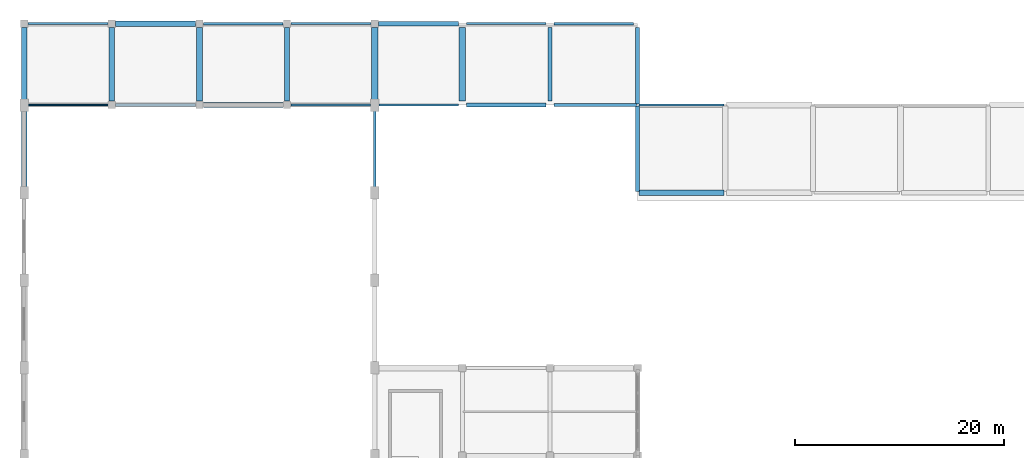
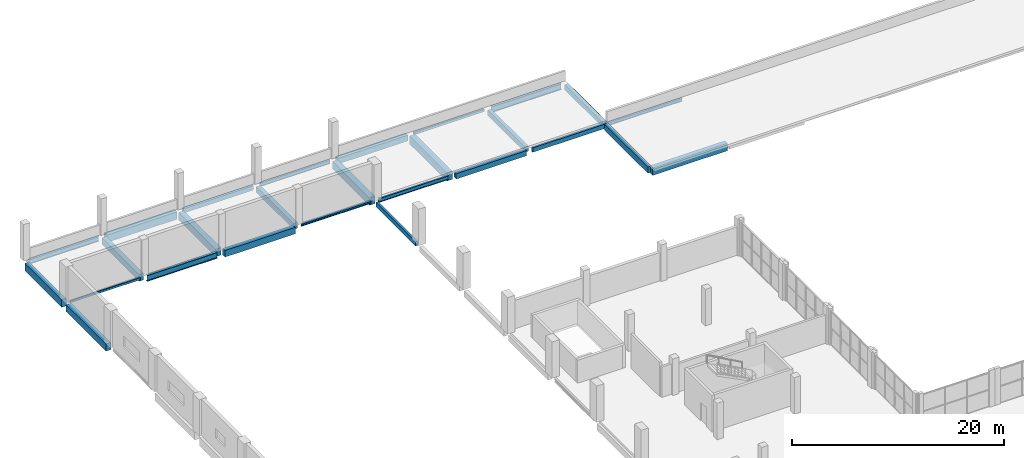
# One storey, part 29 of 59: 27 beams.
"""IFC4 building model written with IfcOpenShell, lengths in metres."""

from ifc_helpers import new_model, si_unit, derived_unit, direction, frame, origin, origin_2d, place, context, subcontext, project, spatial, rectangle, hollow_rectangle, i_section, extrude, material, material_profile, profile_set, type_object, element, save


model = new_model("IFC4")

# Units and contexts
model_context = context("Model", 3, precision=1e-05, world=origin(), true_north=direction((0.0, 1.0)))
body_context = subcontext(model_context, "Body", "Model", "MODEL_VIEW")
ifc_project = project(units=[si_unit("LENGTHUNIT", "METRE"), si_unit("AREAUNIT", "SQUARE_METRE"), si_unit("VOLUMEUNIT", "CUBIC_METRE"), si_unit("PLANEANGLEUNIT", "RADIAN"), si_unit("MASSUNIT", "GRAM", prefix="KILO"), derived_unit("THERMALTRANSMITTANCEUNIT", [(si_unit("POWERUNIT", "WATT"), 1), (si_unit("LENGTHUNIT", "METRE"), -2), (si_unit("THERMODYNAMICTEMPERATUREUNIT", "KELVIN"), -1)])], contexts=[model_context])

# Site, building, storey
site_placement = place(None, origin())
site = spatial("IfcSite", under=ifc_project, at=site_placement, CompositionType="ELEMENT")
building_placement = place(site_placement, origin())
building = spatial("IfcBuilding", under=site, at=building_placement, Name="Barrovel Congress Hotel", CompositionType="ELEMENT")
storey_placement = place(building_placement, frame((0.0, 0.0, 9.89990234375)))
storey = spatial("IfcBuildingStorey", under=building, at=storey_placement, Name="L02", CompositionType="ELEMENT", Elevation=9.89990234375)

# Beams
ifc_material_1 = material(Name="Concrete C40", Category="concrete")
ifc_material_profile_1 = material_profile(ifc_material_1, rectangle(XDim=0.25, YDim=0.5, at=origin_2d()), Name="RC250x500")
ifc_profile_set_1 = profile_set([ifc_material_profile_1], Name="Concrete C40")
beam_type_1 = type_object("IfcBeamType", Name="BM-RC250x500", PredefinedType="SPANDREL", material=ifc_profile_set_1)
beam_1_placement = place(storey_placement, frame((50.77490234375, 105.0, -0.510009765625), z_axis=(1.0, 0.0, 0.0), x_axis=(0.0, 1.0, 0.0)))
element("IfcBeam", 1, at=beam_1_placement, inside=storey, type_object=beam_type_1, Name="BMX:L02:105.0:50.4-58.8", PredefinedType="SPANDREL", context=body_context, shape_type="SweptSolid", body=[
    extrude(rectangle(XDim=0.25, YDim=0.5, at=origin_2d()), origin(), (0.0, 0.0, 1.0), 7.91552734375),
])
beam_2_placement = place(storey_placement, frame((17.175048828125, 112.800048828125, -0.510009765625), z_axis=(1.0, 0.0, 0.0), x_axis=(0.0, 1.0, 0.0)))
element("IfcBeam", 2, at=beam_2_placement, inside=storey, type_object=beam_type_1, Name="BMX:L02:112.8:16.8-25.2", PredefinedType="SPANDREL", context=body_context, shape_type="SweptSolid", body=[
    extrude(rectangle(XDim=0.25, YDim=0.5, at=origin_2d()), origin(), (0.0, 0.0, 1.0), 7.64990234375),
])
beam_3_placement = place(storey_placement, frame((33.60009765625, 97.050048828125, -0.510009765625), z_axis=(0.0, 1.0, 0.0), x_axis=(-1.0, 0.0, 0.0)))
element("IfcBeam", 3, at=beam_3_placement, inside=storey, type_object=beam_type_1, Name="BMY:L02:33.6:96.6-105.0", PredefinedType="SPANDREL", context=body_context, shape_type="SweptSolid", body=[
    extrude(rectangle(XDim=0.25, YDim=0.5, at=origin_2d()), origin(), (0.0, 0.0, 1.0), 7.5),
])
ifc_material_profile_2 = material_profile(ifc_material_1, rectangle(XDim=0.39990234375, YDim=0.60009765625, at=origin_2d()), Name="RC400x600")
ifc_profile_set_2 = profile_set([ifc_material_profile_2], Name="Concrete C40")
beam_type_2 = type_object("IfcBeamType", Name="BM-RC400x600", PredefinedType="BEAM", material=ifc_profile_set_2)
beam_4_placement = place(storey_placement, frame((42.375, 105.0, -0.559814453125), z_axis=(1.0, 0.0, 0.0), x_axis=(0.0, 1.0, 0.0)))
element("IfcBeam", 4, at=beam_4_placement, inside=storey, type_object=beam_type_2, Name="BMX:L02:105.0:42.0-50.4", PredefinedType="BEAM", context=body_context, shape_type="SweptSolid", body=[
    extrude(rectangle(XDim=0.39990234375, YDim=0.60009765625, at=origin_2d()), origin(), (0.0, 0.0, 1.0), 7.64990234375),
])
beam_5_placement = place(storey_placement, frame((50.39990234375, 105.375, -0.559814453125), z_axis=(0.0, 1.0, 0.0), x_axis=(-1.0, 0.0, 0.0)))
element("IfcBeam", 5, at=beam_5_placement, inside=storey, type_object=beam_type_2, Name="BMY:L02:50.4:105.0-112.8", PredefinedType="BEAM", context=body_context, shape_type="SweptSolid", body=[
    extrude(rectangle(XDim=0.39990234375, YDim=0.60009765625, at=origin_2d()), origin(), (0.0, 0.0, 1.0), 7.050048828125),
])
beam_6_placement = place(storey_placement, frame((58.800048828125, 105.109619140625, -0.559814453125), z_axis=(0.0, 1.0, 0.0), x_axis=(-1.0, 0.0, 0.0)))
element("IfcBeam", 6, at=beam_6_placement, inside=storey, type_object=beam_type_2, Name="BMY:L02:58.8:105.0-112.8", PredefinedType="BEAM", context=body_context, shape_type="SweptSolid", body=[
    extrude(rectangle(XDim=0.39990234375, YDim=0.60009765625, at=origin_2d()), origin(), (0.0, 0.0, 1.0), 7.3154296875),
])
ifc_material_profile_3 = material_profile(ifc_material_1, rectangle(XDim=0.39990234375, YDim=0.699951171875, at=origin_2d()), Name="RC400x700")
ifc_profile_set_3 = profile_set([ifc_material_profile_3], Name="Concrete C40")
beam_type_3 = type_object("IfcBeamType", Name="BM-RC400x700", PredefinedType="BEAM", material=ifc_profile_set_3)
beam_7_placement = place(storey_placement, frame((58.800048828125, 96.70947265625, -0.60986328125), z_axis=(0.0, 1.0, 0.0), x_axis=(-1.0, 0.0, 0.0)))
element("IfcBeam", 7, at=beam_7_placement, inside=storey, type_object=beam_type_3, Name="BMY:L02:58.8:96.6-105.0", PredefinedType="BEAM", context=body_context, shape_type="SweptSolid", body=[
    extrude(rectangle(XDim=0.39990234375, YDim=0.699951171875, at=origin_2d()), origin(), (0.0, 0.0, 1.0), 8.180908203125),
])
ifc_material_profile_4 = material_profile(ifc_material_1, rectangle(XDim=0.449951171875, YDim=0.64990234375, at=origin_2d()), Name="RC450x650")
ifc_profile_set_4 = profile_set([ifc_material_profile_4], Name="Concrete C40")
beam_type_4 = type_object("IfcBeamType", Name="BM-RC450x650", PredefinedType="BEAM", material=ifc_profile_set_4)
beam_8_placement = place(storey_placement, frame((33.97509765625, 112.800048828125, -0.5849609375), z_axis=(1.0, 0.0, 0.0), x_axis=(0.0, 1.0, 0.0)))
element("IfcBeam", 8, at=beam_8_placement, inside=storey, type_object=beam_type_4, Name="BMX:L02:112.8:33.6-42.0", PredefinedType="BEAM", context=body_context, shape_type="SweptSolid", body=[
    extrude(rectangle(XDim=0.449951171875, YDim=0.64990234375, at=origin_2d()), origin(), (0.0, 0.0, 1.0), 7.64990234375),
])
beam_9_placement = place(storey_placement, frame((25.199951171875, 105.375, -0.5849609375), z_axis=(0.0, 1.0, 0.0), x_axis=(-1.0, 0.0, 0.0)))
element("IfcBeam", 9, at=beam_9_placement, inside=storey, type_object=beam_type_4, Name="BMY:L02:25.2:105.0-112.8", PredefinedType="BEAM", context=body_context, shape_type="SweptSolid", body=[
    extrude(rectangle(XDim=0.449951171875, YDim=0.64990234375, at=origin_2d()), origin(), (0.0, 0.0, 1.0), 7.050048828125),
])
ifc_material_profile_5 = material_profile(ifc_material_1, rectangle(XDim=0.449951171875, YDim=0.75, at=origin_2d()), Name="RC450x750")
ifc_profile_set_5 = profile_set([ifc_material_profile_5], Name="Concrete C40")
beam_type_5 = type_object("IfcBeamType", Name="BM-RC450x750", PredefinedType="BEAM", material=ifc_profile_set_5)
beam_10_placement = place(storey_placement, frame((17.175048828125, 105.0, -0.635009765625), z_axis=(1.0, 0.0, 0.0), x_axis=(0.0, 1.0, 0.0)))
element("IfcBeam", 10, at=beam_10_placement, inside=storey, type_object=beam_type_5, Name="BMX:L02:105.0:16.8-25.2", PredefinedType="BEAM", context=body_context, shape_type="SweptSolid", body=[
    extrude(rectangle(XDim=0.449951171875, YDim=0.75, at=origin_2d()), origin(), (0.0, 0.0, 1.0), 7.64990234375),
])
ifc_material_profile_6 = material_profile(ifc_material_1, rectangle(XDim=0.5, YDim=0.75, at=origin_2d()), Name="RC500x750")
ifc_profile_set_6 = profile_set([ifc_material_profile_6], Name="Concrete C40")
beam_type_6 = type_object("IfcBeamType", Name="BM-RC500x750", PredefinedType="BEAM", material=ifc_profile_set_6)
beam_11_placement = place(storey_placement, frame((8.39990234375, 105.375, -0.635009765625), z_axis=(0.0, 1.0, 0.0), x_axis=(-1.0, 0.0, 0.0)))
element("IfcBeam", 11, at=beam_11_placement, inside=storey, type_object=beam_type_6, Name="BMY:L02:8.4:105.0-112.8", PredefinedType="BEAM", context=body_context, shape_type="SweptSolid", body=[
    extrude(rectangle(XDim=0.5, YDim=0.75, at=origin_2d()), origin(), (0.0, 0.0, 1.0), 7.050048828125),
])
ifc_material_profile_7 = material_profile(ifc_material_1, rectangle(XDim=0.5, YDim=0.85009765625, at=origin_2d()), Name="RC500x850")
ifc_profile_set_7 = profile_set([ifc_material_profile_7], Name="Concrete C40")
beam_type_7 = type_object("IfcBeamType", Name="BM-RC500x850", PredefinedType="BEAM", material=ifc_profile_set_7)
beam_12_placement = place(storey_placement, frame((58.909423828125, 96.60009765625, -0.684814453125), z_axis=(1.0, 0.0, 0.0), x_axis=(0.0, 1.0, 0.0)))
element("IfcBeam", 12, at=beam_12_placement, inside=storey, type_object=beam_type_7, Name="BMX:L02:96.6:58.8-67.2", PredefinedType="BEAM", context=body_context, shape_type="SweptSolid", body=[
    extrude(rectangle(XDim=0.5, YDim=0.85009765625, at=origin_2d()), origin(), (0.0, 0.0, 1.0), 8.18115234375),
])
beam_13_placement = place(storey_placement, frame((8.77490234375, 112.800048828125, -0.684814453125), z_axis=(1.0, 0.0, 0.0), x_axis=(0.0, 1.0, 0.0)))
element("IfcBeam", 13, at=beam_13_placement, inside=storey, type_object=beam_type_7, Name="BMX:L02:112.8:8.4-16.8", PredefinedType="BEAM", context=body_context, shape_type="SweptSolid", body=[
    extrude(rectangle(XDim=0.5, YDim=0.85009765625, at=origin_2d()), origin(), (0.0, 0.0, 1.0), 7.650146484375),
])
beam_14_placement = place(storey_placement, frame((0.0, 105.449951171875, -0.684814453125), z_axis=(0.0, 1.0, 0.0), x_axis=(-1.0, 0.0, 0.0)))
element("IfcBeam", 14, at=beam_14_placement, inside=storey, type_object=beam_type_7, Name="BMY:L02:0.0:105.0-112.8", PredefinedType="BEAM", context=body_context, shape_type="SweptSolid", body=[
    extrude(rectangle(XDim=0.5, YDim=0.85009765625, at=origin_2d()), origin(), (0.0, 0.0, 1.0), 6.97509765625),
])
ifc_material_profile_8 = material_profile(ifc_material_1, rectangle(XDim=0.550048828125, YDim=0.800048828125, at=origin_2d()), Name="RC550x800")
ifc_profile_set_8 = profile_set([ifc_material_profile_8], Name="Concrete C40")
beam_type_8 = type_object("IfcBeamType", Name="BM-RC550x800", PredefinedType="BEAM", material=ifc_profile_set_8)
beam_15_placement = place(storey_placement, frame((0.0, 97.050048828125, -0.659912109375), z_axis=(0.0, 1.0, 0.0), x_axis=(-1.0, 0.0, 0.0)))
element("IfcBeam", 15, at=beam_15_placement, inside=storey, type_object=beam_type_8, Name="BMY:L02:0.0:96.6-105.0", PredefinedType="BEAM", context=body_context, shape_type="SweptSolid", body=[
    extrude(rectangle(XDim=0.550048828125, YDim=0.800048828125, at=origin_2d()), origin(), (0.0, 0.0, 1.0), 7.5),
])
ifc_material_profile_9 = material_profile(ifc_material_1, rectangle(XDim=0.60009765625, YDim=0.85009765625, at=origin_2d()), Name="RC600x850")
ifc_profile_set_9 = profile_set([ifc_material_profile_9], Name="Concrete C40")
beam_type_9 = type_object("IfcBeamType", Name="BM-RC600x850", PredefinedType="BEAM", material=ifc_profile_set_9)
beam_16_placement = place(storey_placement, frame((16.800048828125, 105.375, -0.684814453125), z_axis=(0.0, 1.0, 0.0), x_axis=(-1.0, 0.0, 0.0)))
element("IfcBeam", 16, at=beam_16_placement, inside=storey, type_object=beam_type_9, Name="BMY:L02:16.8:105.0-112.8", PredefinedType="BEAM", context=body_context, shape_type="SweptSolid", body=[
    extrude(rectangle(XDim=0.60009765625, YDim=0.85009765625, at=origin_2d()), origin(), (0.0, 0.0, 1.0), 7.050048828125),
])
beam_17_placement = place(storey_placement, frame((33.60009765625, 105.449951171875, -0.684814453125), z_axis=(0.0, 1.0, 0.0), x_axis=(-1.0, 0.0, 0.0)))
element("IfcBeam", 17, at=beam_17_placement, inside=storey, type_object=beam_type_9, Name="BMY:L02:33.6:105.0-112.8", PredefinedType="BEAM", context=body_context, shape_type="SweptSolid", body=[
    extrude(rectangle(XDim=0.60009765625, YDim=0.85009765625, at=origin_2d()), origin(), (0.0, 0.0, 1.0), 6.97509765625),
])
ifc_material_profile_10 = material_profile(ifc_material_1, rectangle(XDim=0.60009765625, YDim=0.949951171875, at=origin_2d()), Name="RC600x950")
ifc_profile_set_10 = profile_set([ifc_material_profile_10], Name="Concrete C40")
beam_type_10 = type_object("IfcBeamType", Name="BM-RC600x950", PredefinedType="BEAM", material=ifc_profile_set_10)
beam_18_placement = place(storey_placement, frame((42.0, 105.375, -0.73486328125), z_axis=(0.0, 1.0, 0.0), x_axis=(-1.0, 0.0, 0.0)))
element("IfcBeam", 18, at=beam_18_placement, inside=storey, type_object=beam_type_10, Name="BMY:L02:42.0:105.0-112.8", PredefinedType="BEAM", context=body_context, shape_type="SweptSolid", body=[
    extrude(rectangle(XDim=0.60009765625, YDim=0.949951171875, at=origin_2d()), origin(), (0.0, 0.0, 1.0), 7.050048828125),
])
ifc_material_2 = material(Name="Steel ASTM A500 Grade C", Category="steel")
ifc_material_profile_11 = material_profile(ifc_material_2, hollow_rectangle(XDim=0.15234375, YDim=0.25390625, WallThickness=0.0087890625, InnerFilletRadius=0.0087890625, OuterFilletRadius=0.017578125, at=origin_2d()), Name="HSS254x152x9.5")
ifc_profile_set_11 = profile_set([ifc_material_profile_11], Name="Steel ASTM A500 Grade C")
beam_type_11 = type_object("IfcBeamType", Name="SBM-HSS254x152x9.5", PredefinedType="SPANDREL", material=ifc_profile_set_11)
beam_19_placement = place(storey_placement, frame((0.39990234375, 105.0, -0.386962890625), z_axis=(1.0, 0.0, 0.0), x_axis=(0.0, 1.0, 0.0)))
element("IfcBeam", 19, at=beam_19_placement, inside=storey, type_object=beam_type_11, Name="BMX:L02:105.0:0.0-8.4", PredefinedType="SPANDREL", context=body_context, shape_type="SweptSolid", body=[
    extrude(hollow_rectangle(XDim=0.15234375, YDim=0.25390625, WallThickness=0.0087890625, InnerFilletRadius=0.0087890625, OuterFilletRadius=0.017578125, at=origin_2d()), origin(), (0.0, 0.0, 1.0), 7.625),
])
ifc_material_profile_12 = material_profile(ifc_material_2, hollow_rectangle(XDim=0.203125, YDim=0.3046875, WallThickness=0.01171875, InnerFilletRadius=0.01171875, OuterFilletRadius=0.023681640625, at=origin_2d()), Name="HSS305x203x12.7")
ifc_profile_set_12 = profile_set([ifc_material_profile_12], Name="Steel ASTM A500 Grade C")
beam_type_12 = type_object("IfcBeamType", Name="SBM-HSS305x203x12.7", PredefinedType="SPANDREL", material=ifc_profile_set_12)
beam_20_placement = place(storey_placement, frame((42.375, 112.800048828125, -0.412353515625), z_axis=(1.0, 0.0, 0.0), x_axis=(0.0, 1.0, 0.0)))
element("IfcBeam", 20, at=beam_20_placement, inside=storey, type_object=beam_type_12, Name="BMX:L02:112.8:42.0-50.4", PredefinedType="SPANDREL", context=body_context, shape_type="SweptSolid", body=[
    extrude(hollow_rectangle(XDim=0.203125, YDim=0.3046875, WallThickness=0.01171875, InnerFilletRadius=0.01171875, OuterFilletRadius=0.023681640625, at=origin_2d()), origin(), (0.0, 0.0, 1.0), 7.64990234375),
])
ifc_material_3 = material(Name="Steel ASTM A992 Grade 50", Category="steel")
ifc_material_profile_13 = material_profile(ifc_material_3, i_section(OverallWidth=0.201904296875, OverallDepth=0.2470703125, WebThickness=0.00732421875, FlangeThickness=0.010986328125, FilletRadius=0.011962890625, at=origin_2d()), Name="W250x49")
ifc_profile_set_13 = profile_set([ifc_material_profile_13], Name="Steel ASTM A992 Grade 50")
beam_type_13 = type_object("IfcBeamType", Name="SBM-W250x49", PredefinedType="SPANDREL", material=ifc_profile_set_13)
beam_21_placement = place(storey_placement, frame((25.574951171875, 105.0, -0.38330078125), z_axis=(1.0, 0.0, 0.0), x_axis=(0.0, 1.0, 0.0)))
element("IfcBeam", 21, at=beam_21_placement, inside=storey, type_object=beam_type_13, Name="BMX:L02:105.0:25.2-33.6", PredefinedType="SPANDREL", context=body_context, shape_type="SweptSolid", body=[
    extrude(i_section(OverallWidth=0.201904296875, OverallDepth=0.2470703125, WebThickness=0.00732421875, FlangeThickness=0.010986328125, FilletRadius=0.011962890625, at=origin_2d()), origin(), (0.0, 0.0, 1.0), 7.625),
])
ifc_material_profile_14 = material_profile(ifc_material_3, i_section(OverallWidth=0.205078125, OverallDepth=0.35400390625, WebThickness=0.009521484375, FlangeThickness=0.016845703125, FilletRadius=0.012939453125, at=origin_2d()), Name="W360x79")
ifc_profile_set_14 = profile_set([ifc_material_profile_14], Name="Steel ASTM A992 Grade 50")
beam_type_14 = type_object("IfcBeamType", Name="SBM-W360x79", PredefinedType="BEAM", material=ifc_profile_set_14)
beam_22_placement = place(storey_placement, frame((58.909423828125, 105.0, -0.43701171875), z_axis=(1.0, 0.0, 0.0), x_axis=(0.0, 1.0, 0.0)))
element("IfcBeam", 22, at=beam_22_placement, inside=storey, type_object=beam_type_14, Name="BMX:L02:105.0:58.8-67.2", PredefinedType="BEAM", context=body_context, shape_type="SweptSolid", body=[
    extrude(i_section(OverallWidth=0.205078125, OverallDepth=0.35400390625, WebThickness=0.009521484375, FlangeThickness=0.016845703125, FilletRadius=0.012939453125, at=origin_2d()), origin(), (0.0, 0.0, 1.0), 8.18115234375),
])
ifc_material_profile_15 = material_profile(ifc_material_3, i_section(OverallWidth=0.178955078125, OverallDepth=0.409912109375, WebThickness=0.0087890625, FlangeThickness=0.014404296875, FilletRadius=0.011962890625, at=origin_2d()), Name="W410x67")
ifc_profile_set_15 = profile_set([ifc_material_profile_15], Name="Steel ASTM A992 Grade 50")
beam_type_15 = type_object("IfcBeamType", Name="SBM-W410x67", PredefinedType="BEAM", material=ifc_profile_set_15)
beam_23_placement = place(storey_placement, frame((25.574951171875, 112.800048828125, -0.46484375), z_axis=(1.0, 0.0, 0.0), x_axis=(0.0, 1.0, 0.0)))
element("IfcBeam", 23, at=beam_23_placement, inside=storey, type_object=beam_type_15, Name="BMX:L02:112.8:25.2-33.6", PredefinedType="BEAM", context=body_context, shape_type="SweptSolid", body=[
    extrude(i_section(OverallWidth=0.178955078125, OverallDepth=0.409912109375, WebThickness=0.0087890625, FlangeThickness=0.014404296875, FilletRadius=0.011962890625, at=origin_2d()), origin(), (0.0, 0.0, 1.0), 7.650146484375),
])
ifc_material_profile_16 = material_profile(ifc_material_3, i_section(OverallWidth=0.19091796875, OverallDepth=0.4599609375, WebThickness=0.010009765625, FlangeThickness=0.01611328125, FilletRadius=0.012939453125, at=origin_2d()), Name="W460x82")
ifc_profile_set_16 = profile_set([ifc_material_profile_16], Name="Steel ASTM A992 Grade 50")
beam_type_16 = type_object("IfcBeamType", Name="SBM-W460x82", PredefinedType="BEAM", material=ifc_profile_set_16)
beam_24_placement = place(storey_placement, frame((34.0, 105.0, -0.489990234375), z_axis=(1.0, 0.0, 0.0), x_axis=(0.0, 1.0, 0.0)))
element("IfcBeam", 24, at=beam_24_placement, inside=storey, type_object=beam_type_16, Name="BMX:L02:105.0:33.6-42.0", PredefinedType="BEAM", context=body_context, shape_type="SweptSolid", body=[
    extrude(i_section(OverallWidth=0.19091796875, OverallDepth=0.4599609375, WebThickness=0.010009765625, FlangeThickness=0.01611328125, FilletRadius=0.012939453125, at=origin_2d()), origin(), (0.0, 0.0, 1.0), 7.625),
])
ifc_material_profile_17 = material_profile(ifc_material_3, i_section(OverallWidth=0.208984375, OverallDepth=0.529052734375, WebThickness=0.009765625, FlangeThickness=0.013671875, FilletRadius=0.013916015625, at=origin_2d()), Name="W530x74")
ifc_profile_set_17 = profile_set([ifc_material_profile_17], Name="Steel ASTM A992 Grade 50")
beam_type_17 = type_object("IfcBeamType", Name="SBM-W530x74", PredefinedType="BEAM", material=ifc_profile_set_17)
beam_25_placement = place(storey_placement, frame((0.375, 112.800048828125, -0.5244140625), z_axis=(1.0, 0.0, 0.0), x_axis=(0.0, 1.0, 0.0)))
element("IfcBeam", 25, at=beam_25_placement, inside=storey, type_object=beam_type_17, Name="BMX:L02:112.8:0.0-8.4", PredefinedType="BEAM", context=body_context, shape_type="SweptSolid", body=[
    extrude(i_section(OverallWidth=0.208984375, OverallDepth=0.529052734375, WebThickness=0.009765625, FlangeThickness=0.013671875, FilletRadius=0.013916015625, at=origin_2d()), origin(), (0.0, 0.0, 1.0), 7.64990234375),
])
ifc_material_profile_18 = material_profile(ifc_material_3, i_section(OverallWidth=0.25390625, OverallDepth=0.68408203125, WebThickness=0.012451171875, FlangeThickness=0.01904296875, FilletRadius=0.014892578125, at=origin_2d()), Name="W690x140")
ifc_profile_set_18 = profile_set([ifc_material_profile_18], Name="Steel ASTM A992 Grade 50")
beam_type_18 = type_object("IfcBeamType", Name="SBM-W690x140", PredefinedType="BEAM", material=ifc_profile_set_18)
for number, where, z_axis, x_axis, name in (
    (26, (8.77490234375, 105.0, -0.601806640625), (1.0, 0.0, 0.0), (0.0, 1.0, 0.0), "BMX:L02:105.0:8.4-16.8"),
    (27, (50.77490234375, 112.800048828125, -0.601806640625), (1.0, 0.0, 0.0), (0.0, 1.0, 0.0), "BMX:L02:112.8:50.4-58.8"),
):
    element("IfcBeam", number, at=place(storey_placement, frame(where, z_axis=z_axis, x_axis=x_axis)), inside=storey, type_object=beam_type_18, Name=name, PredefinedType="BEAM", context=body_context, shape_type="SweptSolid", body=[
        extrude(i_section(OverallWidth=0.25390625, OverallDepth=0.68408203125, WebThickness=0.012451171875, FlangeThickness=0.01904296875, FilletRadius=0.014892578125, at=origin_2d()), origin(), (0.0, 0.0, 1.0), 7.650146484375),
    ])

save(model, "model.ifc")
